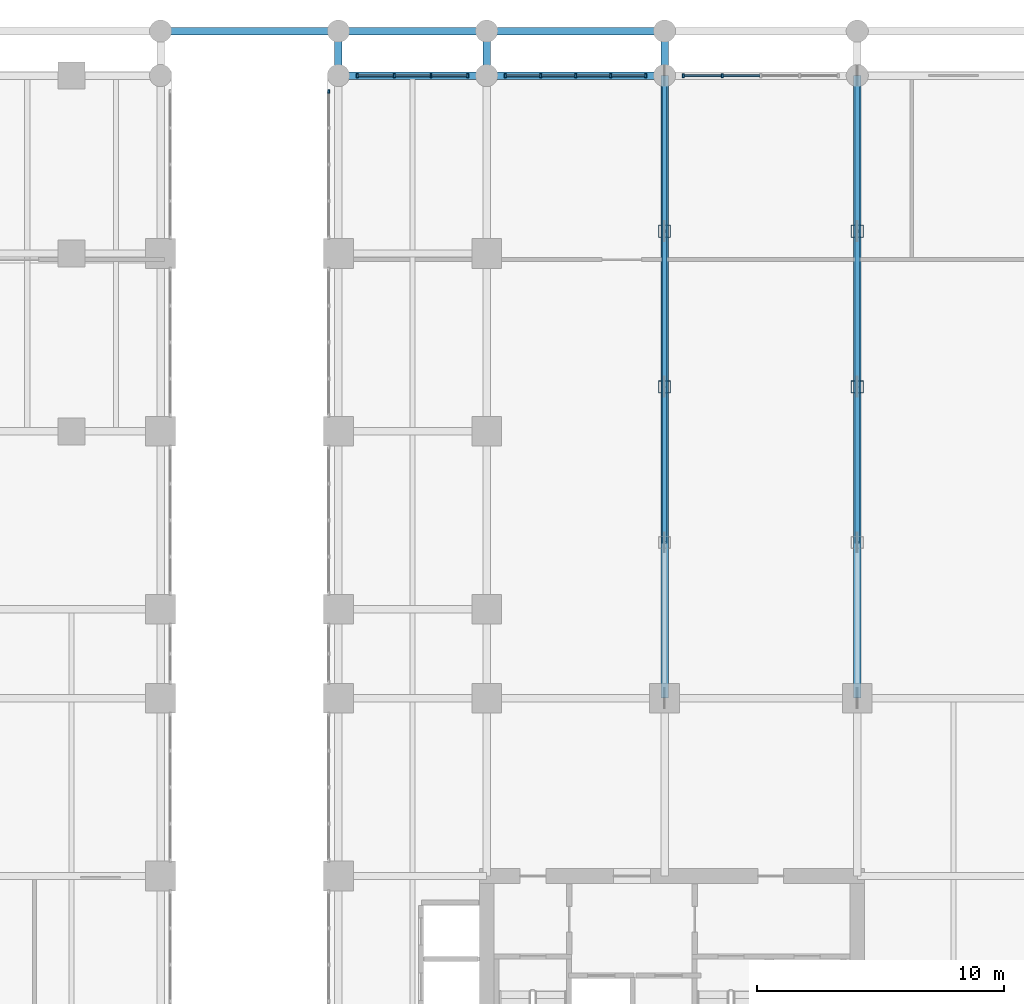
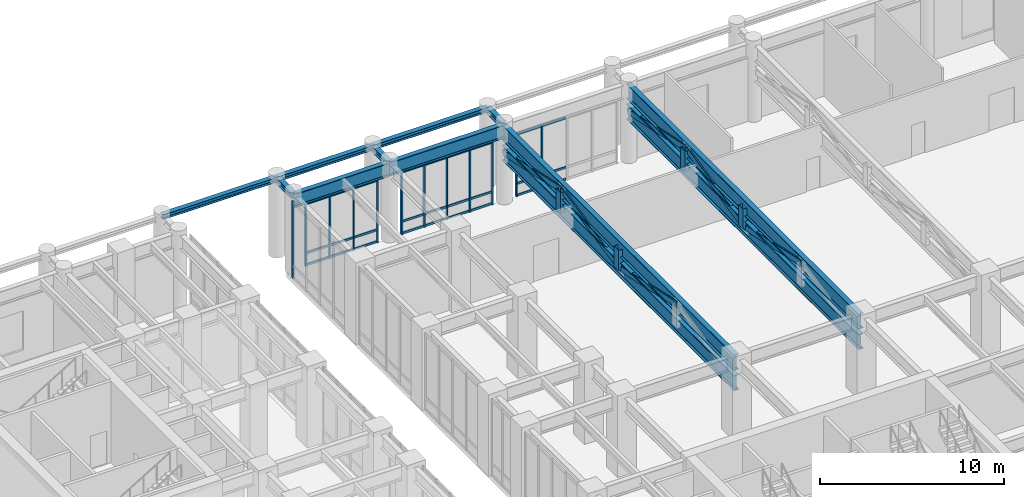
# One storey, part 8 of 24: 53 members, 8 beams, 4 elements without a shape of their own.
"""IFC4 building model written with IfcOpenShell, lengths in metres."""

from ifc_helpers import new_model, si_unit, derived_unit, direction, frame, origin, origin_2d, place, context, subcontext, project, spatial, rectangle, hollow_rectangle, i_section, extrude, source, transform, mapped, material, layer, layer_set, material_profile, profile_set, type_object, type_shapes, element, aggregate, save


model = new_model("IFC4")

# Units and contexts
model_context = context("Model", 3, precision=1e-05, world=origin(), true_north=direction((0.0, 1.0)))
body_context = subcontext(model_context, "Body", "Model", "MODEL_VIEW")
ifc_project = project(units=[si_unit("LENGTHUNIT", "METRE"), si_unit("AREAUNIT", "SQUARE_METRE"), si_unit("VOLUMEUNIT", "CUBIC_METRE"), si_unit("PLANEANGLEUNIT", "RADIAN"), si_unit("MASSUNIT", "GRAM", prefix="KILO"), si_unit("THERMODYNAMICTEMPERATUREUNIT", "KELVIN"), si_unit("POWERUNIT", "WATT"), derived_unit("THERMALTRANSMITTANCEUNIT", [(si_unit("POWERUNIT", "WATT"), 1), (si_unit("AREAUNIT", "SQUARE_METRE"), -1), (si_unit("THERMODYNAMICTEMPERATUREUNIT", "KELVIN"), -1)])], contexts=[model_context])

# Site, building, storey
site_placement = place(None, origin())
site = spatial("IfcSite", under=ifc_project, at=site_placement, CompositionType="ELEMENT")
building_placement = place(site_placement, origin())
building = spatial("IfcBuilding", under=site, at=building_placement, Name="Zahravan Archway Hotel and Residences", CompositionType="ELEMENT")
storey_placement = place(building_placement, frame((0.0, 0.0, 10.800048828125)))
storey = spatial("IfcBuildingStorey", under=building, at=storey_placement, Name="L02", CompositionType="ELEMENT", Elevation=10.800048828125)

# Beams
ifc_material_1 = material(Name="Structural Steel S355J2", Category="steel")
ifc_material_profile_1 = material_profile(ifc_material_1, i_section(OverallWidth=0.300048828125, OverallDepth=0.89990234375, WebThickness=0.0185546875, FlangeThickness=0.034912109375, FilletRadius=0.030029296875, at=origin_2d()), Name="HEB 900", Category="steel")
ifc_profile_set_1 = profile_set([ifc_material_profile_1], Name="Structural Steel S355J2")
beam_type_1 = type_object("IfcBeamType", Name="BM-PRI-HEB900", PredefinedType="BEAM", material=ifc_profile_set_1)
shared_shape_1 = source(origin(), body_context, "Body", "SweptSolid", [
    extrude(i_section(OverallWidth=0.300048828125, OverallDepth=0.89990234375, WebThickness=0.0185546875, FlangeThickness=0.034912109375, FilletRadius=0.030029296875, at=origin_2d()), origin(), (0.0, 0.0, 1.0), 7.199951171875),
])
beam_1_placement = place(storey_placement, frame((34.800048828125, 46.800048828125, 4.64990234375), z_axis=(1.0, 0.0, 0.0), x_axis=(0.0, 1.0, 0.0)))
element("IfcBeam", 1, at=beam_1_placement, inside=storey, type_object=beam_type_1, Name="L02 Primary Girder EW-57", PredefinedType="BEAM", context=body_context, shape_type="MappedRepresentation", body=[
    mapped(shared_shape_1, transform((0.0, 0.0, 0.0), scale=1.0)),
])
shared_shape_2 = source(origin(), body_context, "Body", "SweptSolid", [
    extrude(i_section(OverallWidth=0.300048828125, OverallDepth=0.89990234375, WebThickness=0.0185546875, FlangeThickness=0.034912109375, FilletRadius=0.030029296875, at=origin_2d()), origin(), (0.0, 0.0, 1.0), 6.0),
])
beam_2_placement = place(storey_placement, frame((28.800048828125, 46.800048828125, 4.64990234375), z_axis=(1.0, 0.0, 0.0), x_axis=(0.0, 1.0, 0.0)))
element("IfcBeam", 2, at=beam_2_placement, inside=storey, type_object=beam_type_1, Name="L02 Primary Girder EW-56", PredefinedType="BEAM", context=body_context, shape_type="MappedRepresentation", body=[
    mapped(shared_shape_2, transform((0.0, 0.0, 0.0), scale=1.0)),
])
ifc_material_2 = material(Name="Structural Steel S355JR", Category="steel")
ifc_material_profile_2 = material_profile(ifc_material_2, i_section(OverallWidth=0.300048828125, OverallDepth=0.320068359375, WebThickness=0.011474609375, FlangeThickness=0.0205078125, FilletRadius=0.027099609375, at=origin_2d()), Name="HEB 320", Category="steel")
ifc_profile_set_2 = profile_set([ifc_material_profile_2], Name="Structural Steel S355JR")
beam_type_2 = type_object("IfcBeamType", Name="BM-SPN-HEB320", PredefinedType="SPANDREL", material=ifc_profile_set_2)
shared_shape_3 = source(origin(), body_context, "Body", "SweptSolid", [
    extrude(i_section(OverallWidth=0.300048828125, OverallDepth=0.320068359375, WebThickness=0.011474609375, FlangeThickness=0.0205078125, FilletRadius=0.027099609375, at=origin_2d()), origin(), (0.0, 0.0, 1.0), 7.199951171875),
])
type_shapes(beam_type_2, [shared_shape_3])
for number, where, z_axis, x_axis, name in (
    (3, (21.60009765625, 48.60009765625, 5.0), (1.0, 0.0, 0.0), (0.0, 1.0, 0.0), "L02 North Colonnade Spandrel 4"),
    (4, (34.800048828125, 48.60009765625, 5.0), (1.0, 0.0, 0.0), (0.0, 1.0, 0.0), "L02 North Colonnade Spandrel 6"),
):
    element("IfcBeam", number, at=place(storey_placement, frame(where, z_axis=z_axis, x_axis=x_axis)), inside=storey, type_object=beam_type_2, Name=name, PredefinedType="SPANDREL", context=body_context, shape_type="MappedRepresentation", body=[
        mapped(shared_shape_3, transform((0.0, 0.0, 0.0), scale=1.0)),
    ])
ifc_material_profile_3 = material_profile(ifc_material_2, i_section(OverallWidth=0.300048828125, OverallDepth=0.39990234375, WebThickness=0.013427734375, FlangeThickness=0.02392578125, FilletRadius=0.027099609375, at=origin_2d()), Name="HEB 400", Category="steel")
ifc_profile_set_3 = profile_set([ifc_material_profile_3], Name="Structural Steel S355JR")
beam_type_3 = type_object("IfcBeamType", Name="BM-PRI-HEB400", PredefinedType="BEAM", material=ifc_profile_set_3)
shared_shape_4 = source(origin(), body_context, "Body", "SweptSolid", [
    extrude(i_section(OverallWidth=0.300048828125, OverallDepth=0.39990234375, WebThickness=0.013427734375, FlangeThickness=0.02392578125, FilletRadius=0.027099609375, at=origin_2d()), origin(), (0.0, 0.0, 1.0), 1.800048828125),
])
for number, where, z_axis, x_axis, name in (
    (5, (28.800048828125, 46.800048828125, 4.9599609375), (0.0, 1.0, 0.0), (-1.0, 0.0, 0.0), "L02 North Colonnade Tie Girder 5"),
    (6, (34.800048828125, 46.800048828125, 4.9599609375), (0.0, 1.0, 0.0), (-1.0, 0.0, 0.0), "L02 North Colonnade Tie Girder 6"),
    (7, (42.0, 46.800048828125, 4.9599609375), (0.0, 1.0, 0.0), (-1.0, 0.0, 0.0), "L02 North Colonnade Tie Girder 7"),
):
    element("IfcBeam", number, at=place(storey_placement, frame(where, z_axis=z_axis, x_axis=x_axis)), inside=storey, type_object=beam_type_3, Name=name, PredefinedType="BEAM", context=body_context, shape_type="MappedRepresentation", body=[
        mapped(shared_shape_4, transform((0.0, 0.0, 0.0), scale=1.0)),
    ])
shared_shape_5 = source(origin(), body_context, "Body", "SweptSolid", [
    extrude(i_section(OverallWidth=0.300048828125, OverallDepth=0.320068359375, WebThickness=0.011474609375, FlangeThickness=0.0205078125, FilletRadius=0.027099609375, at=origin_2d()), origin(), (0.0, 0.0, 1.0), 6.0),
])
beam_3_placement = place(storey_placement, frame((28.800048828125, 48.60009765625, 5.0), z_axis=(1.0, 0.0, 0.0), x_axis=(0.0, 1.0, 0.0)))
element("IfcBeam", 8, at=beam_3_placement, inside=storey, type_object=beam_type_2, Name="L02 North Colonnade Spandrel 5", PredefinedType="SPANDREL", context=body_context, shape_type="MappedRepresentation", body=[
    mapped(shared_shape_5, transform((0.0, 0.0, 0.0), scale=1.0)),
])

# Members
ifc_material_3 = material(Name="Structural Steel S460M", Category="steel")
ifc_material_profile_4 = material_profile(ifc_material_3, i_section(OverallWidth=0.302001953125, OverallDepth=1.008056640625, WebThickness=0.02099609375, FlangeThickness=0.0400390625, FilletRadius=0.030029296875, at=origin_2d()), Name="HEM 1000", Category="steel")
ifc_profile_set_4 = profile_set([ifc_material_profile_4], Name="Structural Steel S460M")
member_type_1 = type_object("IfcMemberType", Name="MEM-CHD-HEM1000", PredefinedType="CHORD", material=ifc_profile_set_4)
shared_shape_6 = source(origin(), body_context, "Body", "SweptSolid", [
    extrude(i_section(OverallWidth=0.302001953125, OverallDepth=1.008056640625, WebThickness=0.02099609375, FlangeThickness=0.0400390625, FilletRadius=0.030029296875, at=origin_2d()), origin(), (0.0, 0.0, 1.0), 25.199951171875),
])
type_shapes(member_type_1, [shared_shape_6])
for number, where, z_axis, x_axis, name in (
    (9, (42.0, 21.60009765625, 4.550048828125), (0.0, 1.0, 0.0), (-1.0, 0.0, 0.0), "L02 Long-Span Transfer Truss 1 Top Chord"),
    (10, (42.0, 21.60009765625, 3.199951171875), (0.0, 1.0, 0.0), (-1.0, 0.0, 0.0), "L02 Long-Span Transfer Truss 1 Bottom Chord"),
    (11, (49.800048828125, 21.60009765625, 4.550048828125), (0.0, 1.0, 0.0), (-1.0, 0.0, 0.0), "L02 Long-Span Transfer Truss 2 Top Chord"),
    (12, (49.800048828125, 21.60009765625, 3.199951171875), (0.0, 1.0, 0.0), (-1.0, 0.0, 0.0), "L02 Long-Span Transfer Truss 2 Bottom Chord"),
):
    element("IfcMember", number, at=place(storey_placement, frame(where, z_axis=z_axis, x_axis=x_axis)), inside=storey, type_object=member_type_1, Name=name, PredefinedType="CHORD", context=body_context, shape_type="MappedRepresentation", body=[
        mapped(shared_shape_6, transform((0.0, 0.0, 0.0), scale=1.0)),
    ])
ifc_material_profile_5 = material_profile(ifc_material_3, hollow_rectangle(XDim=0.5, YDim=0.5, WallThickness=0.02490234375, at=origin_2d()), Name="SHS 500x500x25", Category="steel")
ifc_profile_set_5 = profile_set([ifc_material_profile_5], Name="Structural Steel S460M")
member_type_2 = type_object("IfcMemberType", Name="MEM-POST-SHS500", PredefinedType="POST", material=ifc_profile_set_5)
shared_shape_7 = source(origin(), body_context, "Body", "SweptSolid", [
    extrude(hollow_rectangle(XDim=0.5, YDim=0.5, WallThickness=0.02490234375, at=origin_2d()), origin(), (0.0, 0.0, 1.0), 1.35009765625),
])
type_shapes(member_type_2, [shared_shape_7])
for number, where, z_axis, x_axis, name in (
    (13, (42.0, 34.199951171875, 3.199951171875), (0.0, 0.0, 1.0), (1.0, 0.0, 0.0), "L02 Long-Span Truss 1 Post 2"),
    (14, (42.0, 40.5, 3.199951171875), (0.0, 0.0, 1.0), (1.0, 0.0, 0.0), "L02 Long-Span Truss 1 Post 3"),
    (15, (49.800048828125, 34.199951171875, 3.199951171875), (0.0, 0.0, 1.0), (1.0, 0.0, 0.0), "L02 Long-Span Truss 2 Post 2"),
    (16, (49.800048828125, 40.5, 3.199951171875), (0.0, 0.0, 1.0), (1.0, 0.0, 0.0), "L02 Long-Span Truss 2 Post 3"),
):
    element("IfcMember", number, at=place(storey_placement, frame(where, z_axis=z_axis, x_axis=x_axis)), inside=storey, type_object=member_type_2, Name=name, PredefinedType="POST", context=body_context, shape_type="MappedRepresentation", body=[
        mapped(shared_shape_7, transform((0.0, 0.0, 0.0), scale=1.0)),
    ])
ifc_material_profile_6 = material_profile(ifc_material_1, hollow_rectangle(XDim=0.199951171875, YDim=0.39990234375, WallThickness=0.01611328125, InnerFilletRadius=0.01611328125, OuterFilletRadius=0.031982421875, at=origin_2d()), Name="RHS 400x200x16", Category="steel")
ifc_profile_set_6 = profile_set([ifc_material_profile_6], Name="Structural Steel S355J2")
member_type_3 = type_object("IfcMemberType", Name="MEM-DIAG-RHS400", PredefinedType="BRACE", material=ifc_profile_set_6)
shared_shape_8 = source(origin(), body_context, "Body", "SweptSolid", [
    extrude(hollow_rectangle(XDim=0.199951171875, YDim=0.39990234375, WallThickness=0.01611328125, InnerFilletRadius=0.01611328125, OuterFilletRadius=0.031982421875, at=origin_2d()), origin(), (0.0, 0.0, 1.0), 6.443115234375),
])
for number, where, z_axis, x_axis, name in (
    (17, (42.0, 27.89990234375, 4.550048828125), (0.0, 0.977799641416, -0.209542027399), (-1.0, 0.0, 0.0), "L02 Long-Span Truss 1 Diagonal 2"),
    (18, (42.0, 34.199951171875, 3.199951171875), (0.0, 0.977799641416, 0.209542027399), (-1.0, 0.0, 0.0), "L02 Long-Span Truss 1 Diagonal 3"),
    (19, (42.0, 40.5, 4.550048828125), (0.0, 0.977799641416, -0.209542027399), (-1.0, 0.0, 0.0), "L02 Long-Span Truss 1 Diagonal 4"),
    (20, (49.800048828125, 27.89990234375, 4.550048828125), (0.0, 0.977799641416, -0.209542027399), (-1.0, 0.0, 0.0), "L02 Long-Span Truss 2 Diagonal 2"),
    (21, (49.800048828125, 34.199951171875, 3.199951171875), (0.0, 0.977799641416, 0.209542027399), (-1.0, 0.0, 0.0), "L02 Long-Span Truss 2 Diagonal 3"),
    (22, (49.800048828125, 40.5, 4.550048828125), (0.0, 0.977799641416, -0.209542027399), (-1.0, 0.0, 0.0), "L02 Long-Span Truss 2 Diagonal 4"),
):
    element("IfcMember", number, at=place(storey_placement, frame(where, z_axis=z_axis, x_axis=x_axis)), inside=storey, type_object=member_type_3, Name=name, PredefinedType="BRACE", context=body_context, shape_type="MappedRepresentation", body=[
        mapped(shared_shape_8, transform((0.0, 0.0, 0.0), scale=1.0)),
    ])

# Curtain wall, members
ifc_material_4 = material(Name="Bronze-Anodized Unitised Aluminium & Low-E Glass", Category="aluminium")
ifc_layer = layer(ifc_material_4, 0.179931640625, Name="Bronze-Anodized Unitised Aluminium & Low-E Glass", Category="aluminium")
ifc_layer_set = layer_set([ifc_layer], Name="Bronze-Anodized Unitised Aluminium & Low-E Glass")
curtain_wall_type = type_object("IfcCurtainWallType", Name="CW-POD-ARCH", PredefinedType="NOTDEFINED", material=ifc_layer_set)
curtain_wall_1_placement = place(storey_placement, origin())
curtain_wall_1 = element("IfcCurtainWall", 23, at=curtain_wall_1_placement, inside=storey, type_object=curtain_wall_type, Name="L02 Curtain Wall CW-POD-L02-1", PredefinedType="NOTDEFINED")
ifc_material_5 = material(Name="Bronze-Anodized Extruded Aluminium", Category="aluminium")
ifc_material_profile_7 = material_profile(ifc_material_5, rectangle(XDim=0.080078125, YDim=0.139892578125, at=origin_2d()), Name="TRN 80x140", Category="aluminium")
ifc_profile_set_7 = profile_set([ifc_material_profile_7], Name="Bronze-Anodized Extruded Aluminium")
member_type_4 = type_object("IfcMemberType", Name="CWM-TRN-140", PredefinedType="USERDEFINED", material=ifc_profile_set_7)
shared_shape_9 = source(origin(), body_context, "Body", "SweptSolid", [
    extrude(rectangle(XDim=0.080078125, YDim=0.139892578125, at=origin_2d()), origin(), (0.0, 0.0, 1.0), 1.4130859375),
])
type_shapes(member_type_4, [shared_shape_9])
member_1_placement = place(storey_placement, frame((29.60009765625, 46.800048828125, 0.070068359375), z_axis=(1.0, 0.0, 0.0), x_axis=(0.0, 1.0, 0.0)))
member_1 = element("IfcMember", 24, at=member_1_placement, type_object=member_type_4, Name="CW-POD-L02-1 Transom 0-1", ObjectType="TRANSOM", PredefinedType="USERDEFINED", context=body_context, shape_type="MappedRepresentation", body=[
    mapped(shared_shape_9, transform((0.0, 0.0, 0.0), scale=1.0)),
])
member_2_placement = place(storey_placement, frame((29.60009765625, 46.800048828125, 0.849853515625), z_axis=(1.0, 0.0, 0.0), x_axis=(0.0, 1.0, 0.0)))
member_2 = element("IfcMember", 25, at=member_2_placement, type_object=member_type_4, Name="CW-POD-L02-1 Transom 0-2", ObjectType="TRANSOM", PredefinedType="USERDEFINED", context=body_context, shape_type="MappedRepresentation", body=[
    mapped(shared_shape_9, transform((0.0, 0.0, 0.0), scale=1.0)),
])
member_3_placement = place(storey_placement, frame((29.60009765625, 46.800048828125, 4.114990234375), z_axis=(1.0, 0.0, 0.0), x_axis=(0.0, 1.0, 0.0)))
member_3 = element("IfcMember", 26, at=member_3_placement, type_object=member_type_4, Name="CW-POD-L02-1 Transom 0-3", ObjectType="TRANSOM", PredefinedType="USERDEFINED", context=body_context, shape_type="MappedRepresentation", body=[
    mapped(shared_shape_9, transform((0.0, 0.0, 0.0), scale=1.0)),
])
shared_shape_10 = source(origin(), body_context, "Body", "SweptSolid", [
    extrude(rectangle(XDim=0.080078125, YDim=0.139892578125, at=origin_2d()), origin(), (0.0, 0.0, 1.0), 1.413330078125),
])
member_4_placement = place(storey_placement, frame((31.09326171875, 46.800048828125, 0.070068359375), z_axis=(1.0, 0.0, 0.0), x_axis=(0.0, 1.0, 0.0)))
member_4 = element("IfcMember", 27, at=member_4_placement, type_object=member_type_4, Name="CW-POD-L02-1 Transom 1-1", ObjectType="TRANSOM", PredefinedType="USERDEFINED", context=body_context, shape_type="MappedRepresentation", body=[
    mapped(shared_shape_10, transform((0.0, 0.0, 0.0), scale=1.0)),
])
member_5_placement = place(storey_placement, frame((31.09326171875, 46.800048828125, 0.849853515625), z_axis=(1.0, 0.0, 0.0), x_axis=(0.0, 1.0, 0.0)))
member_5 = element("IfcMember", 28, at=member_5_placement, type_object=member_type_4, Name="CW-POD-L02-1 Transom 1-2", ObjectType="TRANSOM", PredefinedType="USERDEFINED", context=body_context, shape_type="MappedRepresentation", body=[
    mapped(shared_shape_10, transform((0.0, 0.0, 0.0), scale=1.0)),
])
member_6_placement = place(storey_placement, frame((31.09326171875, 46.800048828125, 4.114990234375), z_axis=(1.0, 0.0, 0.0), x_axis=(0.0, 1.0, 0.0)))
member_6 = element("IfcMember", 29, at=member_6_placement, type_object=member_type_4, Name="CW-POD-L02-1 Transom 1-3", ObjectType="TRANSOM", PredefinedType="USERDEFINED", context=body_context, shape_type="MappedRepresentation", body=[
    mapped(shared_shape_10, transform((0.0, 0.0, 0.0), scale=1.0)),
])
member_7_placement = place(storey_placement, frame((32.586669921875, 46.800048828125, 0.070068359375), z_axis=(1.0, 0.0, 0.0), x_axis=(0.0, 1.0, 0.0)))
member_7 = element("IfcMember", 30, at=member_7_placement, type_object=member_type_4, Name="CW-POD-L02-1 Transom 2-1", ObjectType="TRANSOM", PredefinedType="USERDEFINED", context=body_context, shape_type="MappedRepresentation", body=[
    mapped(shared_shape_10, transform((0.0, 0.0, 0.0), scale=1.0)),
])
member_8_placement = place(storey_placement, frame((32.586669921875, 46.800048828125, 0.849853515625), z_axis=(1.0, 0.0, 0.0), x_axis=(0.0, 1.0, 0.0)))
member_8 = element("IfcMember", 31, at=member_8_placement, type_object=member_type_4, Name="CW-POD-L02-1 Transom 2-2", ObjectType="TRANSOM", PredefinedType="USERDEFINED", context=body_context, shape_type="MappedRepresentation", body=[
    mapped(shared_shape_10, transform((0.0, 0.0, 0.0), scale=1.0)),
])
member_9_placement = place(storey_placement, frame((32.586669921875, 46.800048828125, 4.114990234375), z_axis=(1.0, 0.0, 0.0), x_axis=(0.0, 1.0, 0.0)))
member_9 = element("IfcMember", 32, at=member_9_placement, type_object=member_type_4, Name="CW-POD-L02-1 Transom 2-3", ObjectType="TRANSOM", PredefinedType="USERDEFINED", context=body_context, shape_type="MappedRepresentation", body=[
    mapped(shared_shape_10, transform((0.0, 0.0, 0.0), scale=1.0)),
])

curtain_wall_2_placement = place(storey_placement, origin())
curtain_wall_2 = element("IfcCurtainWall", 33, at=curtain_wall_2_placement, inside=storey, type_object=curtain_wall_type, Name="L02 Curtain Wall CW-POD-L02-2", PredefinedType="NOTDEFINED")
shared_shape_11 = source(origin(), body_context, "Body", "SweptSolid", [
    extrude(rectangle(XDim=0.080078125, YDim=0.139892578125, at=origin_2d()), origin(), (0.0, 0.0, 1.0), 1.33984375),
])
member_10_placement = place(storey_placement, frame((35.60009765625, 46.800048828125, 0.070068359375), z_axis=(1.0, 0.0, 0.0), x_axis=(0.0, 1.0, 0.0)))
member_10 = element("IfcMember", 34, at=member_10_placement, type_object=member_type_4, Name="CW-POD-L02-2 Transom 0-1", ObjectType="TRANSOM", PredefinedType="USERDEFINED", context=body_context, shape_type="MappedRepresentation", body=[
    mapped(shared_shape_11, transform((0.0, 0.0, 0.0), scale=1.0)),
])
member_11_placement = place(storey_placement, frame((35.60009765625, 46.800048828125, 0.849853515625), z_axis=(1.0, 0.0, 0.0), x_axis=(0.0, 1.0, 0.0)))
member_11 = element("IfcMember", 35, at=member_11_placement, type_object=member_type_4, Name="CW-POD-L02-2 Transom 0-2", ObjectType="TRANSOM", PredefinedType="USERDEFINED", context=body_context, shape_type="MappedRepresentation", body=[
    mapped(shared_shape_11, transform((0.0, 0.0, 0.0), scale=1.0)),
])
member_12_placement = place(storey_placement, frame((35.60009765625, 46.800048828125, 4.114990234375), z_axis=(1.0, 0.0, 0.0), x_axis=(0.0, 1.0, 0.0)))
member_12 = element("IfcMember", 36, at=member_12_placement, type_object=member_type_4, Name="CW-POD-L02-2 Transom 0-3", ObjectType="TRANSOM", PredefinedType="USERDEFINED", context=body_context, shape_type="MappedRepresentation", body=[
    mapped(shared_shape_11, transform((0.0, 0.0, 0.0), scale=1.0)),
])
member_13_placement = place(storey_placement, frame((39.860107421875, 46.800048828125, 0.070068359375), z_axis=(1.0, 0.0, 0.0), x_axis=(0.0, 1.0, 0.0)))
member_13 = element("IfcMember", 37, at=member_13_placement, type_object=member_type_4, Name="CW-POD-L02-2 Transom 3-1", ObjectType="TRANSOM", PredefinedType="USERDEFINED", context=body_context, shape_type="MappedRepresentation", body=[
    mapped(shared_shape_11, transform((0.0, 0.0, 0.0), scale=1.0)),
])
member_14_placement = place(storey_placement, frame((39.860107421875, 46.800048828125, 0.849853515625), z_axis=(1.0, 0.0, 0.0), x_axis=(0.0, 1.0, 0.0)))
member_14 = element("IfcMember", 38, at=member_14_placement, type_object=member_type_4, Name="CW-POD-L02-2 Transom 3-2", ObjectType="TRANSOM", PredefinedType="USERDEFINED", context=body_context, shape_type="MappedRepresentation", body=[
    mapped(shared_shape_11, transform((0.0, 0.0, 0.0), scale=1.0)),
])
member_15_placement = place(storey_placement, frame((39.860107421875, 46.800048828125, 4.114990234375), z_axis=(1.0, 0.0, 0.0), x_axis=(0.0, 1.0, 0.0)))
member_15 = element("IfcMember", 39, at=member_15_placement, type_object=member_type_4, Name="CW-POD-L02-2 Transom 3-3", ObjectType="TRANSOM", PredefinedType="USERDEFINED", context=body_context, shape_type="MappedRepresentation", body=[
    mapped(shared_shape_11, transform((0.0, 0.0, 0.0), scale=1.0)),
])
shared_shape_12 = source(origin(), body_context, "Body", "SweptSolid", [
    extrude(rectangle(XDim=0.080078125, YDim=0.139892578125, at=origin_2d()), origin(), (0.0, 0.0, 1.0), 1.340087890625),
])
member_16_placement = place(storey_placement, frame((37.02001953125, 46.800048828125, 0.070068359375), z_axis=(1.0, 0.0, 0.0), x_axis=(0.0, 1.0, 0.0)))
member_16 = element("IfcMember", 40, at=member_16_placement, type_object=member_type_4, Name="CW-POD-L02-2 Transom 1-1", ObjectType="TRANSOM", PredefinedType="USERDEFINED", context=body_context, shape_type="MappedRepresentation", body=[
    mapped(shared_shape_12, transform((0.0, 0.0, 0.0), scale=1.0)),
])
member_17_placement = place(storey_placement, frame((37.02001953125, 46.800048828125, 0.849853515625), z_axis=(1.0, 0.0, 0.0), x_axis=(0.0, 1.0, 0.0)))
member_17 = element("IfcMember", 41, at=member_17_placement, type_object=member_type_4, Name="CW-POD-L02-2 Transom 1-2", ObjectType="TRANSOM", PredefinedType="USERDEFINED", context=body_context, shape_type="MappedRepresentation", body=[
    mapped(shared_shape_12, transform((0.0, 0.0, 0.0), scale=1.0)),
])
member_18_placement = place(storey_placement, frame((37.02001953125, 46.800048828125, 4.114990234375), z_axis=(1.0, 0.0, 0.0), x_axis=(0.0, 1.0, 0.0)))
member_18 = element("IfcMember", 42, at=member_18_placement, type_object=member_type_4, Name="CW-POD-L02-2 Transom 1-3", ObjectType="TRANSOM", PredefinedType="USERDEFINED", context=body_context, shape_type="MappedRepresentation", body=[
    mapped(shared_shape_12, transform((0.0, 0.0, 0.0), scale=1.0)),
])
member_19_placement = place(storey_placement, frame((38.43994140625, 46.800048828125, 0.070068359375), z_axis=(1.0, 0.0, 0.0), x_axis=(0.0, 1.0, 0.0)))
member_19 = element("IfcMember", 43, at=member_19_placement, type_object=member_type_4, Name="CW-POD-L02-2 Transom 2-1", ObjectType="TRANSOM", PredefinedType="USERDEFINED", context=body_context, shape_type="MappedRepresentation", body=[
    mapped(shared_shape_12, transform((0.0, 0.0, 0.0), scale=1.0)),
])
member_20_placement = place(storey_placement, frame((38.43994140625, 46.800048828125, 0.849853515625), z_axis=(1.0, 0.0, 0.0), x_axis=(0.0, 1.0, 0.0)))
member_20 = element("IfcMember", 44, at=member_20_placement, type_object=member_type_4, Name="CW-POD-L02-2 Transom 2-2", ObjectType="TRANSOM", PredefinedType="USERDEFINED", context=body_context, shape_type="MappedRepresentation", body=[
    mapped(shared_shape_12, transform((0.0, 0.0, 0.0), scale=1.0)),
])
member_21_placement = place(storey_placement, frame((38.43994140625, 46.800048828125, 4.114990234375), z_axis=(1.0, 0.0, 0.0), x_axis=(0.0, 1.0, 0.0)))
member_21 = element("IfcMember", 45, at=member_21_placement, type_object=member_type_4, Name="CW-POD-L02-2 Transom 2-3", ObjectType="TRANSOM", PredefinedType="USERDEFINED", context=body_context, shape_type="MappedRepresentation", body=[
    mapped(shared_shape_12, transform((0.0, 0.0, 0.0), scale=1.0)),
])

curtain_wall_3_placement = place(storey_placement, origin())
curtain_wall_3 = element("IfcCurtainWall", 46, at=curtain_wall_3_placement, inside=storey, type_object=curtain_wall_type, Name="L02 Curtain Wall CW-POD-L02-3", PredefinedType="NOTDEFINED")
shared_shape_13 = source(origin(), body_context, "Body", "SweptSolid", [
    extrude(rectangle(XDim=0.080078125, YDim=0.139892578125, at=origin_2d()), origin(), (0.0, 0.0, 1.0), 1.489990234375),
])
member_22_placement = place(storey_placement, frame((42.800048828125, 46.800048828125, 0.070068359375), z_axis=(1.0, 0.0, 0.0), x_axis=(0.0, 1.0, 0.0)))
member_22 = element("IfcMember", 47, at=member_22_placement, type_object=member_type_4, Name="CW-POD-L02-3 Transom 0-1", ObjectType="TRANSOM", PredefinedType="USERDEFINED", context=body_context, shape_type="MappedRepresentation", body=[
    mapped(shared_shape_13, transform((0.0, 0.0, 0.0), scale=1.0)),
])
member_23_placement = place(storey_placement, frame((42.800048828125, 46.800048828125, 0.849853515625), z_axis=(1.0, 0.0, 0.0), x_axis=(0.0, 1.0, 0.0)))
member_23 = element("IfcMember", 48, at=member_23_placement, type_object=member_type_4, Name="CW-POD-L02-3 Transom 0-2", ObjectType="TRANSOM", PredefinedType="USERDEFINED", context=body_context, shape_type="MappedRepresentation", body=[
    mapped(shared_shape_13, transform((0.0, 0.0, 0.0), scale=1.0)),
])
member_24_placement = place(storey_placement, frame((42.800048828125, 46.800048828125, 4.114990234375), z_axis=(1.0, 0.0, 0.0), x_axis=(0.0, 1.0, 0.0)))
member_24 = element("IfcMember", 49, at=member_24_placement, type_object=member_type_4, Name="CW-POD-L02-3 Transom 0-3", ObjectType="TRANSOM", PredefinedType="USERDEFINED", context=body_context, shape_type="MappedRepresentation", body=[
    mapped(shared_shape_13, transform((0.0, 0.0, 0.0), scale=1.0)),
])
member_25_placement = place(storey_placement, frame((44.3701171875, 46.800048828125, 0.070068359375), z_axis=(1.0, 0.0, 0.0), x_axis=(0.0, 1.0, 0.0)))
member_25 = element("IfcMember", 50, at=member_25_placement, type_object=member_type_4, Name="CW-POD-L02-3 Transom 1-1", ObjectType="TRANSOM", PredefinedType="USERDEFINED", context=body_context, shape_type="MappedRepresentation", body=[
    mapped(shared_shape_13, transform((0.0, 0.0, 0.0), scale=1.0)),
])
member_26_placement = place(storey_placement, frame((44.3701171875, 46.800048828125, 0.849853515625), z_axis=(1.0, 0.0, 0.0), x_axis=(0.0, 1.0, 0.0)))
member_26 = element("IfcMember", 51, at=member_26_placement, type_object=member_type_4, Name="CW-POD-L02-3 Transom 1-2", ObjectType="TRANSOM", PredefinedType="USERDEFINED", context=body_context, shape_type="MappedRepresentation", body=[
    mapped(shared_shape_13, transform((0.0, 0.0, 0.0), scale=1.0)),
])
member_27_placement = place(storey_placement, frame((44.3701171875, 46.800048828125, 4.114990234375), z_axis=(1.0, 0.0, 0.0), x_axis=(0.0, 1.0, 0.0)))
member_27 = element("IfcMember", 52, at=member_27_placement, type_object=member_type_4, Name="CW-POD-L02-3 Transom 1-3", ObjectType="TRANSOM", PredefinedType="USERDEFINED", context=body_context, shape_type="MappedRepresentation", body=[
    mapped(shared_shape_13, transform((0.0, 0.0, 0.0), scale=1.0)),
])

# Member
ifc_material_profile_8 = material_profile(ifc_material_5, rectangle(XDim=0.080078125, YDim=0.159912109375, at=origin_2d()), Name="MUL 80x160", Category="aluminium")
ifc_profile_set_8 = profile_set([ifc_material_profile_8], Name="Bronze-Anodized Extruded Aluminium")
member_type_5 = type_object("IfcMemberType", Name="CWM-MUL-160", PredefinedType="MULLION", material=ifc_profile_set_8)
shared_shape_14 = source(origin(), body_context, "Body", "SweptSolid", [
    extrude(rectangle(XDim=0.080078125, YDim=0.159912109375, at=origin_2d()), origin(), (0.0, 0.0, 1.0), 4.18505859375),
])
member_28_placement = place(storey_placement, frame((29.56005859375, 46.800048828125, 0.0), z_axis=(0.0, 0.0, 1.0), x_axis=(1.0, 0.0, 0.0)))
member_28 = element("IfcMember", 53, at=member_28_placement, type_object=member_type_5, Name="CW-POD-L02-1 Mullion 0", PredefinedType="MULLION", context=body_context, shape_type="MappedRepresentation", body=[
    mapped(shared_shape_14, transform((0.0, 0.0, 0.0), scale=1.0)),
])

member_29_placement = place(storey_placement, frame((31.05322265625, 46.800048828125, 0.0), z_axis=(0.0, 0.0, 1.0), x_axis=(1.0, 0.0, 0.0)))
member_29 = element("IfcMember", 54, at=member_29_placement, type_object=member_type_5, Name="CW-POD-L02-1 Mullion 1", PredefinedType="MULLION", context=body_context, shape_type="MappedRepresentation", body=[
    mapped(shared_shape_14, transform((0.0, 0.0, 0.0), scale=1.0)),
])

member_30_placement = place(storey_placement, frame((32.546630859375, 46.800048828125, 0.0), z_axis=(0.0, 0.0, 1.0), x_axis=(1.0, 0.0, 0.0)))
member_30 = element("IfcMember", 55, at=member_30_placement, type_object=member_type_5, Name="CW-POD-L02-1 Mullion 2", PredefinedType="MULLION", context=body_context, shape_type="MappedRepresentation", body=[
    mapped(shared_shape_14, transform((0.0, 0.0, 0.0), scale=1.0)),
])

member_31_placement = place(storey_placement, frame((34.0400390625, 46.800048828125, 0.0), z_axis=(0.0, 0.0, 1.0), x_axis=(1.0, 0.0, 0.0)))
member_31 = element("IfcMember", 56, at=member_31_placement, type_object=member_type_5, Name="CW-POD-L02-1 Mullion 3", PredefinedType="MULLION", context=body_context, shape_type="MappedRepresentation", body=[
    mapped(shared_shape_14, transform((0.0, 0.0, 0.0), scale=1.0)),
])

aggregate(curtain_wall_1, [member_28, member_29, member_30, member_31, member_1, member_2, member_3, member_4, member_5, member_6, member_7, member_8, member_9])

member_32_placement = place(storey_placement, frame((35.56005859375, 46.800048828125, 0.0), z_axis=(0.0, 0.0, 1.0), x_axis=(1.0, 0.0, 0.0)))
member_32 = element("IfcMember", 57, at=member_32_placement, type_object=member_type_5, Name="CW-POD-L02-2 Mullion 0", PredefinedType="MULLION", context=body_context, shape_type="MappedRepresentation", body=[
    mapped(shared_shape_14, transform((0.0, 0.0, 0.0), scale=1.0)),
])

member_33_placement = place(storey_placement, frame((36.97998046875, 46.800048828125, 0.0), z_axis=(0.0, 0.0, 1.0), x_axis=(1.0, 0.0, 0.0)))
member_33 = element("IfcMember", 58, at=member_33_placement, type_object=member_type_5, Name="CW-POD-L02-2 Mullion 1", PredefinedType="MULLION", context=body_context, shape_type="MappedRepresentation", body=[
    mapped(shared_shape_14, transform((0.0, 0.0, 0.0), scale=1.0)),
])

member_34_placement = place(storey_placement, frame((38.39990234375, 46.800048828125, 0.0), z_axis=(0.0, 0.0, 1.0), x_axis=(1.0, 0.0, 0.0)))
member_34 = element("IfcMember", 59, at=member_34_placement, type_object=member_type_5, Name="CW-POD-L02-2 Mullion 2", PredefinedType="MULLION", context=body_context, shape_type="MappedRepresentation", body=[
    mapped(shared_shape_14, transform((0.0, 0.0, 0.0), scale=1.0)),
])

member_35_placement = place(storey_placement, frame((39.820068359375, 46.800048828125, 0.0), z_axis=(0.0, 0.0, 1.0), x_axis=(1.0, 0.0, 0.0)))
member_35 = element("IfcMember", 60, at=member_35_placement, type_object=member_type_5, Name="CW-POD-L02-2 Mullion 3", PredefinedType="MULLION", context=body_context, shape_type="MappedRepresentation", body=[
    mapped(shared_shape_14, transform((0.0, 0.0, 0.0), scale=1.0)),
])

member_36_placement = place(storey_placement, frame((41.239990234375, 46.800048828125, 0.0), z_axis=(0.0, 0.0, 1.0), x_axis=(1.0, 0.0, 0.0)))
member_36 = element("IfcMember", 61, at=member_36_placement, type_object=member_type_5, Name="CW-POD-L02-2 Mullion 4", PredefinedType="MULLION", context=body_context, shape_type="MappedRepresentation", body=[
    mapped(shared_shape_14, transform((0.0, 0.0, 0.0), scale=1.0)),
])

aggregate(curtain_wall_2, [member_32, member_33, member_34, member_35, member_36, member_10, member_11, member_12, member_16, member_17, member_18, member_19, member_20, member_21, member_13, member_14, member_15])

member_37_placement = place(storey_placement, frame((42.760009765625, 46.800048828125, 0.0), z_axis=(0.0, 0.0, 1.0), x_axis=(1.0, 0.0, 0.0)))
member_37 = element("IfcMember", 62, at=member_37_placement, type_object=member_type_5, Name="CW-POD-L02-3 Mullion 0", PredefinedType="MULLION", context=body_context, shape_type="MappedRepresentation", body=[
    mapped(shared_shape_14, transform((0.0, 0.0, 0.0), scale=1.0)),
])

member_38_placement = place(storey_placement, frame((44.330078125, 46.800048828125, 0.0), z_axis=(0.0, 0.0, 1.0), x_axis=(1.0, 0.0, 0.0)))
member_38 = element("IfcMember", 63, at=member_38_placement, type_object=member_type_5, Name="CW-POD-L02-3 Mullion 1", PredefinedType="MULLION", context=body_context, shape_type="MappedRepresentation", body=[
    mapped(shared_shape_14, transform((0.0, 0.0, 0.0), scale=1.0)),
])

aggregate(curtain_wall_3, [member_37, member_38, member_22, member_23, member_24, member_25, member_26, member_27])

# Curtain wall, member
curtain_wall_4_placement = place(storey_placement, origin())
curtain_wall_4 = element("IfcCurtainWall", 64, at=curtain_wall_4_placement, inside=storey, type_object=curtain_wall_type, Name="L02 Curtain Wall CW-PORTE-L02-7", PredefinedType="NOTDEFINED")
shared_shape_15 = source(origin(), body_context, "Body", "SweptSolid", [
    extrude(rectangle(XDim=0.080078125, YDim=0.159912109375, at=origin_2d()), origin(), (0.0, 0.0, 1.0), 5.099853515625),
])
member_39_placement = place(storey_placement, frame((28.39990234375, 46.15478515625, 0.0), z_axis=(0.0, 0.0, 1.0), x_axis=(1.0, 0.0, 0.0)))
member_39 = element("IfcMember", 65, at=member_39_placement, type_object=member_type_5, Name="CW-PORTE-L02-7 Mullion 4", PredefinedType="MULLION", context=body_context, shape_type="MappedRepresentation", body=[
    mapped(shared_shape_15, transform((0.0, 0.0, 0.0), scale=1.0)),
])
aggregate(curtain_wall_4, [member_39])

save(model, "model.ifc")
